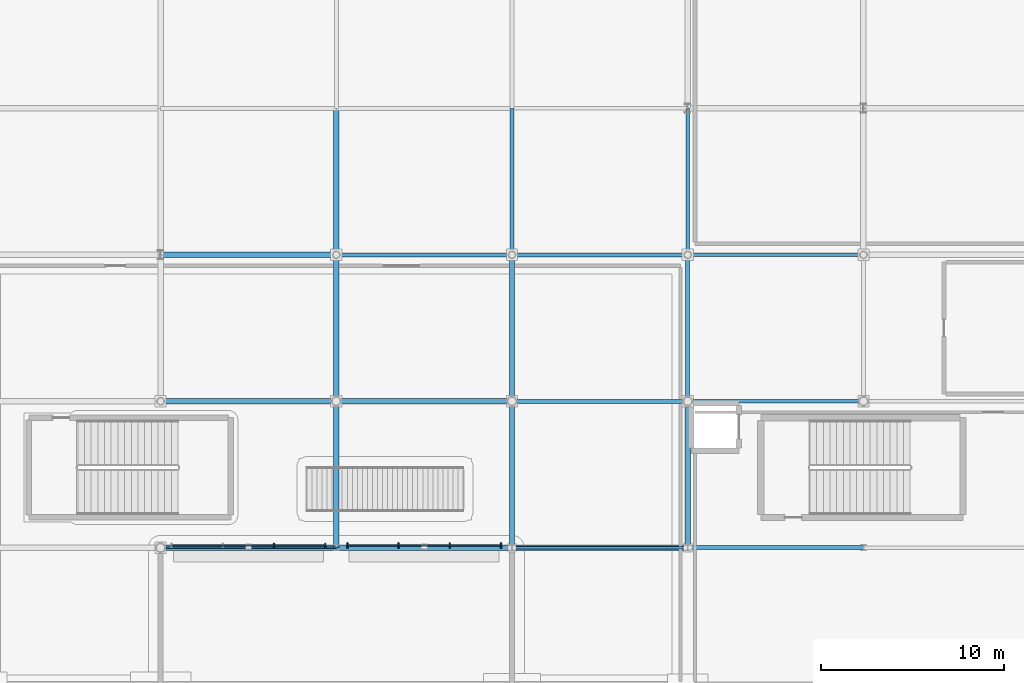
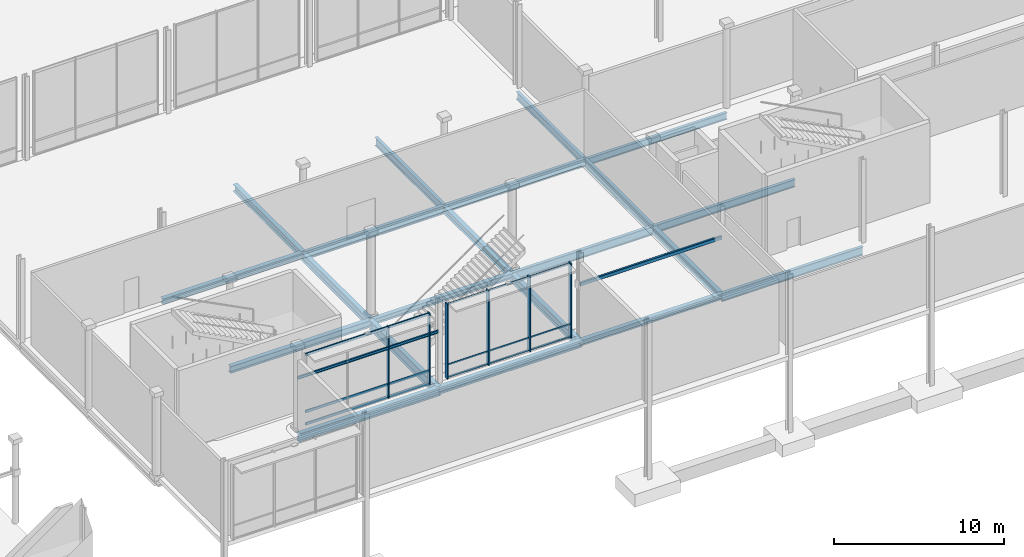
# One storey, part 54 of 124: 23 beams, 12 members, 2 elements without a shape of their own.
"""IFC4 building model written with IfcOpenShell, lengths in metres."""

from ifc_helpers import new_model, si_unit, direction, frame, origin, origin_2d, place, context, subcontext, project, spatial, rectangle, hollow_rectangle, i_section, extrude, material, material_profile, profile_set, type_object, element, aggregate, save


model = new_model("IFC4")

# Units and contexts
model_context = context("Model", 3, precision=1e-05, world=origin(), true_north=direction((0.0, 1.0)))
body_context = subcontext(model_context, "Body", "Model", "MODEL_VIEW")
ifc_project = project(units=[si_unit("LENGTHUNIT", "METRE"), si_unit("AREAUNIT", "SQUARE_METRE"), si_unit("VOLUMEUNIT", "CUBIC_METRE"), si_unit("PLANEANGLEUNIT", "RADIAN"), si_unit("MASSUNIT", "GRAM", prefix="KILO")], contexts=[model_context])

# Site, building, storey
site_placement = place(None, origin())
site = spatial("IfcSite", under=ifc_project, at=site_placement, CompositionType="ELEMENT")
building_placement = place(site_placement, origin())
building = spatial("IfcBuilding", under=site, at=building_placement, Name="Danafjord Basin Convention Centre", CompositionType="ELEMENT")
storey_placement = place(building_placement, origin())
storey = spatial("IfcBuildingStorey", under=building, at=storey_placement, Name="L00", CompositionType="ELEMENT", Elevation=0.0)

# Beams
ifc_material_1 = material(Name="Steel S355", Category="steel")
ifc_material_profile_1 = material_profile(ifc_material_1, i_section(OverallWidth=0.300048828125, OverallDepth=0.389892578125, WebThickness=0.010986328125, FlangeThickness=0.01904296875, FilletRadius=0.027099609375, at=origin_2d()), Name="HEA 400")
ifc_profile_set_1 = profile_set([ifc_material_profile_1], Name="Steel S355")
beam_type_1 = type_object("IfcBeamType", Name="BEAM-BM-HEA400", PredefinedType="BEAM", material=ifc_profile_set_1)
beam_1_placement = place(storey_placement, frame((153.60009765625, 24.0, -0.5048828125), z_axis=(1.0, 0.0, 0.0), x_axis=(0.0, 1.0, 0.0)))
element("IfcBeam", 1, at=beam_1_placement, inside=storey, type_object=beam_type_1, Name="L00 girder BM-HEA400", PredefinedType="BEAM", context=body_context, shape_type="SweptSolid", body=[
    extrude(i_section(OverallWidth=0.300048828125, OverallDepth=0.389892578125, WebThickness=0.010986328125, FlangeThickness=0.01904296875, FilletRadius=0.027099609375, at=origin_2d()), origin(), (0.0, 0.0, 1.0), 9.599853515625),
])
beam_2_placement = place(storey_placement, frame((163.199951171875, 16.0, -0.5048828125), z_axis=(1.0, 0.0, 0.0), x_axis=(0.0, 1.0, 0.0)))
element("IfcBeam", 2, at=beam_2_placement, inside=storey, type_object=beam_type_1, Name="L00 girder BM-HEA400", PredefinedType="BEAM", context=body_context, shape_type="SweptSolid", body=[
    extrude(i_section(OverallWidth=0.300048828125, OverallDepth=0.389892578125, WebThickness=0.010986328125, FlangeThickness=0.01904296875, FilletRadius=0.027099609375, at=origin_2d()), origin(), (0.0, 0.0, 1.0), 9.60009765625),
])
beam_3_placement = place(storey_placement, frame((172.800048828125, 8.0, -0.5048828125), z_axis=(1.0, 0.0, 0.0), x_axis=(0.0, 1.0, 0.0)))
element("IfcBeam", 3, at=beam_3_placement, inside=storey, type_object=beam_type_1, Name="L00 girder BM-HEA400", PredefinedType="BEAM", context=body_context, shape_type="SweptSolid", body=[
    extrude(i_section(OverallWidth=0.300048828125, OverallDepth=0.389892578125, WebThickness=0.010986328125, FlangeThickness=0.01904296875, FilletRadius=0.027099609375, at=origin_2d()), origin(), (0.0, 0.0, 1.0), 9.599853515625),
])
ifc_material_profile_2 = material_profile(ifc_material_1, i_section(OverallWidth=0.300048828125, OverallDepth=0.489990234375, WebThickness=0.011962890625, FlangeThickness=0.02294921875, FilletRadius=0.027099609375, at=origin_2d()), Name="HEA 500")
ifc_profile_set_2 = profile_set([ifc_material_profile_2], Name="Steel S355")
beam_type_2 = type_object("IfcBeamType", Name="BEAM-BM-HEA500", PredefinedType="BEAM", material=ifc_profile_set_2)
beam_4_placement = place(storey_placement, frame((153.60009765625, 16.0, -0.554931640625), z_axis=(1.0, 0.0, 0.0), x_axis=(0.0, 1.0, 0.0)))
element("IfcBeam", 4, at=beam_4_placement, inside=storey, type_object=beam_type_2, Name="L00 girder BM-HEA500", PredefinedType="BEAM", context=body_context, shape_type="SweptSolid", body=[
    extrude(i_section(OverallWidth=0.300048828125, OverallDepth=0.489990234375, WebThickness=0.011962890625, FlangeThickness=0.02294921875, FilletRadius=0.027099609375, at=origin_2d()), origin(), (0.0, 0.0, 1.0), 9.599853515625),
])
beam_5_placement = place(storey_placement, frame((163.199951171875, 8.0, -0.554931640625), z_axis=(1.0, 0.0, 0.0), x_axis=(0.0, 1.0, 0.0)))
element("IfcBeam", 5, at=beam_5_placement, inside=storey, type_object=beam_type_2, Name="L00 girder BM-HEA500", PredefinedType="BEAM", context=body_context, shape_type="SweptSolid", body=[
    extrude(i_section(OverallWidth=0.300048828125, OverallDepth=0.489990234375, WebThickness=0.011962890625, FlangeThickness=0.02294921875, FilletRadius=0.027099609375, at=origin_2d()), origin(), (0.0, 0.0, 1.0), 9.60009765625),
])
ifc_material_profile_3 = material_profile(ifc_material_1, i_section(OverallWidth=0.300048828125, OverallDepth=0.590087890625, WebThickness=0.012939453125, FlangeThickness=0.02490234375, FilletRadius=0.027099609375, at=origin_2d()), Name="HEA 600")
ifc_profile_set_3 = profile_set([ifc_material_profile_3], Name="Steel S355")
beam_type_3 = type_object("IfcBeamType", Name="BEAM-BM-HEA600", PredefinedType="BEAM", material=ifc_profile_set_3)
beam_6_placement = place(storey_placement, frame((153.60009765625, 8.0, -0.60498046875), z_axis=(1.0, 0.0, 0.0), x_axis=(0.0, 1.0, 0.0)))
element("IfcBeam", 6, at=beam_6_placement, inside=storey, type_object=beam_type_3, Name="L00 girder BM-HEA600", PredefinedType="BEAM", context=body_context, shape_type="SweptSolid", body=[
    extrude(i_section(OverallWidth=0.300048828125, OverallDepth=0.590087890625, WebThickness=0.012939453125, FlangeThickness=0.02490234375, FilletRadius=0.027099609375, at=origin_2d()), origin(), (0.0, 0.0, 1.0), 9.599853515625),
])
ifc_material_profile_4 = material_profile(ifc_material_1, i_section(OverallWidth=0.300048828125, OverallDepth=0.5, WebThickness=0.014404296875, FlangeThickness=0.028076171875, FilletRadius=0.027099609375, at=origin_2d()), Name="HEB 500")
ifc_profile_set_4 = profile_set([ifc_material_profile_4], Name="Steel S355")
beam_type_4 = type_object("IfcBeamType", Name="BEAM-BM-HEB500", PredefinedType="BEAM", material=ifc_profile_set_4)
for number, where, z_axis, x_axis, name in (
    (7, (163.199951171875, 24.0, -0.530029296875), (0.0, 1.0, 0.0), (-1.0, 0.0, 0.0), "L00 transverse girder BM-HEB500"),
    (8, (172.800048828125, 16.0, -0.56005859375), (0.0, 1.0, 0.0), (-1.0, 0.0, 0.0), "L00 transverse girder BM-HEB500"),
    (9, (182.39990234375, 8.0, -0.56005859375), (0.0, 1.0, 0.0), (-1.0, 0.0, 0.0), "L00 transverse girder BM-HEB500"),
):
    element("IfcBeam", number, at=place(storey_placement, frame(where, z_axis=z_axis, x_axis=x_axis)), inside=storey, type_object=beam_type_4, Name=name, PredefinedType="BEAM", context=body_context, shape_type="SweptSolid", body=[
        extrude(i_section(OverallWidth=0.300048828125, OverallDepth=0.5, WebThickness=0.014404296875, FlangeThickness=0.028076171875, FilletRadius=0.027099609375, at=origin_2d()), origin(), (0.0, 0.0, 1.0), 8.0),
    ])
ifc_material_profile_5 = material_profile(ifc_material_1, i_section(OverallWidth=0.300048828125, OverallDepth=0.60009765625, WebThickness=0.015380859375, FlangeThickness=0.030029296875, FilletRadius=0.027099609375, at=origin_2d()), Name="HEB 600")
ifc_profile_set_5 = profile_set([ifc_material_profile_5], Name="Steel S355")
beam_type_5 = type_object("IfcBeamType", Name="BEAM-BM-HEB600", PredefinedType="BEAM", material=ifc_profile_set_5)
for number, where, z_axis, x_axis, name in (
    (10, (163.199951171875, 16.0, -0.610107421875), (0.0, 1.0, 0.0), (-1.0, 0.0, 0.0), "L00 transverse girder BM-HEB600"),
    (11, (172.800048828125, 8.0, -0.610107421875), (0.0, 1.0, 0.0), (-1.0, 0.0, 0.0), "L00 transverse girder BM-HEB600"),
):
    element("IfcBeam", number, at=place(storey_placement, frame(where, z_axis=z_axis, x_axis=x_axis)), inside=storey, type_object=beam_type_5, Name=name, PredefinedType="BEAM", context=body_context, shape_type="SweptSolid", body=[
        extrude(i_section(OverallWidth=0.300048828125, OverallDepth=0.60009765625, WebThickness=0.015380859375, FlangeThickness=0.030029296875, FilletRadius=0.027099609375, at=origin_2d()), origin(), (0.0, 0.0, 1.0), 8.0),
    ])
ifc_material_profile_6 = material_profile(ifc_material_1, i_section(OverallWidth=0.300048828125, OverallDepth=0.699951171875, WebThickness=0.01708984375, FlangeThickness=0.031982421875, FilletRadius=0.027099609375, at=origin_2d()), Name="HEB 700")
ifc_profile_set_6 = profile_set([ifc_material_profile_6], Name="Steel S355")
beam_type_6 = type_object("IfcBeamType", Name="BEAM-BM-HEB700", PredefinedType="BEAM", material=ifc_profile_set_6)
beam_7_placement = place(storey_placement, frame((163.199951171875, 8.0, -0.659912109375), z_axis=(0.0, 1.0, 0.0), x_axis=(-1.0, 0.0, 0.0)))
element("IfcBeam", 12, at=beam_7_placement, inside=storey, type_object=beam_type_6, Name="L00 transverse girder BM-HEB700", PredefinedType="BEAM", context=body_context, shape_type="SweptSolid", body=[
    extrude(i_section(OverallWidth=0.300048828125, OverallDepth=0.699951171875, WebThickness=0.01708984375, FlangeThickness=0.031982421875, FilletRadius=0.027099609375, at=origin_2d()), origin(), (0.0, 0.0, 1.0), 8.0),
])
ifc_material_profile_7 = material_profile(ifc_material_1, i_section(OverallWidth=0.199951171875, OverallDepth=0.5, WebThickness=0.01025390625, FlangeThickness=0.01611328125, FilletRadius=0.02099609375, at=origin_2d()), Name="IPE 500")
ifc_profile_set_7 = profile_set([ifc_material_profile_7], Name="Steel S355")
beam_type_7 = type_object("IfcBeamType", Name="BEAM-BM-IPE500", PredefinedType="BEAM", material=ifc_profile_set_7)
beam_8_placement = place(storey_placement, frame((182.39990234375, 24.0, -0.610107421875), z_axis=(1.0, 0.0, 0.0), x_axis=(0.0, 1.0, 0.0)))
element("IfcBeam", 13, at=beam_8_placement, inside=storey, type_object=beam_type_7, Name="L00 girder BM-IPE500", PredefinedType="BEAM", context=body_context, shape_type="SweptSolid", body=[
    extrude(i_section(OverallWidth=0.199951171875, OverallDepth=0.5, WebThickness=0.01025390625, FlangeThickness=0.01611328125, FilletRadius=0.02099609375, at=origin_2d()), origin(), (0.0, 0.0, 1.0), 9.60009765625),
])
ifc_material_profile_8 = material_profile(ifc_material_1, i_section(OverallWidth=0.2099609375, OverallDepth=0.550048828125, WebThickness=0.010986328125, FlangeThickness=0.01708984375, FilletRadius=0.02392578125, at=origin_2d()), Name="IPE 550")
ifc_profile_set_8 = profile_set([ifc_material_profile_8], Name="Steel S355")
beam_type_8 = type_object("IfcBeamType", Name="BEAM-BM-IPE550", PredefinedType="BEAM", material=ifc_profile_set_8)
beam_9_placement = place(storey_placement, frame((172.800048828125, 24.0, -0.5849609375), z_axis=(1.0, 0.0, 0.0), x_axis=(0.0, 1.0, 0.0)))
element("IfcBeam", 14, at=beam_9_placement, inside=storey, type_object=beam_type_8, Name="L00 girder BM-IPE550", PredefinedType="BEAM", context=body_context, shape_type="SweptSolid", body=[
    extrude(i_section(OverallWidth=0.2099609375, OverallDepth=0.550048828125, WebThickness=0.010986328125, FlangeThickness=0.01708984375, FilletRadius=0.02392578125, at=origin_2d()), origin(), (0.0, 0.0, 1.0), 9.599853515625),
])
beam_10_placement = place(storey_placement, frame((182.39990234375, 16.0, -0.5849609375), z_axis=(1.0, 0.0, 0.0), x_axis=(0.0, 1.0, 0.0)))
element("IfcBeam", 15, at=beam_10_placement, inside=storey, type_object=beam_type_8, Name="L00 girder BM-IPE550", PredefinedType="BEAM", context=body_context, shape_type="SweptSolid", body=[
    extrude(i_section(OverallWidth=0.2099609375, OverallDepth=0.550048828125, WebThickness=0.010986328125, FlangeThickness=0.01708984375, FilletRadius=0.02392578125, at=origin_2d()), origin(), (0.0, 0.0, 1.0), 9.60009765625),
])
beam_11_placement = place(storey_placement, frame((182.39990234375, 24.0, -0.635009765625), z_axis=(0.0, 1.0, 0.0), x_axis=(-1.0, 0.0, 0.0)))
element("IfcBeam", 16, at=beam_11_placement, inside=storey, type_object=beam_type_8, Name="L00 transverse girder BM-IPE550", PredefinedType="BEAM", context=body_context, shape_type="SweptSolid", body=[
    extrude(i_section(OverallWidth=0.2099609375, OverallDepth=0.550048828125, WebThickness=0.010986328125, FlangeThickness=0.01708984375, FilletRadius=0.02392578125, at=origin_2d()), origin(), (0.0, 0.0, 1.0), 8.0),
])
ifc_material_profile_9 = material_profile(ifc_material_1, i_section(OverallWidth=0.219970703125, OverallDepth=0.60009765625, WebThickness=0.011962890625, FlangeThickness=0.01904296875, FilletRadius=0.02392578125, at=origin_2d()), Name="IPE 600")
ifc_profile_set_9 = profile_set([ifc_material_profile_9], Name="Steel S355")
beam_type_9 = type_object("IfcBeamType", Name="BEAM-BM-IPE600", PredefinedType="BEAM", material=ifc_profile_set_9)
beam_12_placement = place(storey_placement, frame((163.199951171875, 24.0, -0.610107421875), z_axis=(1.0, 0.0, 0.0), x_axis=(0.0, 1.0, 0.0)))
element("IfcBeam", 17, at=beam_12_placement, inside=storey, type_object=beam_type_9, Name="L00 girder BM-IPE600", PredefinedType="BEAM", context=body_context, shape_type="SweptSolid", body=[
    extrude(i_section(OverallWidth=0.219970703125, OverallDepth=0.60009765625, WebThickness=0.011962890625, FlangeThickness=0.01904296875, FilletRadius=0.02392578125, at=origin_2d()), origin(), (0.0, 0.0, 1.0), 9.60009765625),
])
beam_13_placement = place(storey_placement, frame((172.800048828125, 16.0, -0.610107421875), z_axis=(1.0, 0.0, 0.0), x_axis=(0.0, 1.0, 0.0)))
element("IfcBeam", 18, at=beam_13_placement, inside=storey, type_object=beam_type_9, Name="L00 girder BM-IPE600", PredefinedType="BEAM", context=body_context, shape_type="SweptSolid", body=[
    extrude(i_section(OverallWidth=0.219970703125, OverallDepth=0.60009765625, WebThickness=0.011962890625, FlangeThickness=0.01904296875, FilletRadius=0.02392578125, at=origin_2d()), origin(), (0.0, 0.0, 1.0), 9.599853515625),
])
beam_14_placement = place(storey_placement, frame((182.39990234375, 8.0, -0.610107421875), z_axis=(1.0, 0.0, 0.0), x_axis=(0.0, 1.0, 0.0)))
element("IfcBeam", 19, at=beam_14_placement, inside=storey, type_object=beam_type_9, Name="L00 girder BM-IPE600", PredefinedType="BEAM", context=body_context, shape_type="SweptSolid", body=[
    extrude(i_section(OverallWidth=0.219970703125, OverallDepth=0.60009765625, WebThickness=0.011962890625, FlangeThickness=0.01904296875, FilletRadius=0.02392578125, at=origin_2d()), origin(), (0.0, 0.0, 1.0), 9.60009765625),
])
for number, where, z_axis, x_axis, name in (
    (20, (172.800048828125, 24.0, -0.580078125), (0.0, 1.0, 0.0), (-1.0, 0.0, 0.0), "L00 transverse girder BM-IPE600"),
    (21, (182.39990234375, 16.0, -0.610107421875), (0.0, 1.0, 0.0), (-1.0, 0.0, 0.0), "L00 transverse girder BM-IPE600"),
):
    element("IfcBeam", number, at=place(storey_placement, frame(where, z_axis=z_axis, x_axis=x_axis)), inside=storey, type_object=beam_type_9, Name=name, PredefinedType="BEAM", context=body_context, shape_type="SweptSolid", body=[
        extrude(i_section(OverallWidth=0.219970703125, OverallDepth=0.60009765625, WebThickness=0.011962890625, FlangeThickness=0.01904296875, FilletRadius=0.02392578125, at=origin_2d()), origin(), (0.0, 0.0, 1.0), 8.0),
    ])
ifc_material_profile_10 = material_profile(ifc_material_1, i_section(OverallWidth=0.10009765625, OverallDepth=0.199951171875, WebThickness=0.005615234375, FlangeThickness=0.008544921875, FilletRadius=0.011962890625, at=origin_2d()), Name="IPE 200")
ifc_profile_set_10 = profile_set([ifc_material_profile_10], Name="Steel S355")
beam_type_10 = type_object("IfcBeamType", Name="BEAM-LN-IPE200", PredefinedType="LINTEL", material=ifc_profile_set_10)
beam_15_placement = place(storey_placement, frame((153.60009765625, 8.0, 3.64990234375), z_axis=(1.0, 0.0, 0.0), x_axis=(0.0, 1.0, 0.0)))
element("IfcBeam", 22, at=beam_15_placement, inside=storey, type_object=beam_type_10, Name="L00 structural portal lintel LN-IPE200", PredefinedType="LINTEL", context=body_context, shape_type="SweptSolid", body=[
    extrude(i_section(OverallWidth=0.10009765625, OverallDepth=0.199951171875, WebThickness=0.005615234375, FlangeThickness=0.008544921875, FilletRadius=0.011962890625, at=origin_2d()), origin(), (0.0, 0.0, 1.0), 9.599853515625),
])
ifc_material_profile_11 = material_profile(ifc_material_1, hollow_rectangle(XDim=0.14990234375, YDim=0.25, WallThickness=0.010009765625, InnerFilletRadius=0.014892578125, OuterFilletRadius=0.02490234375, at=origin_2d()), Name="RHS 250x150x10.0")
ifc_profile_set_11 = profile_set([ifc_material_profile_11], Name="Steel S355")
beam_type_11 = type_object("IfcBeamType", Name="BEAM-LN-RHS250", PredefinedType="LINTEL", material=ifc_profile_set_11)
beam_16_placement = place(storey_placement, frame((172.800048828125, 8.0, 3.675048828125), z_axis=(1.0, 0.0, 0.0), x_axis=(0.0, 1.0, 0.0)))
element("IfcBeam", 23, at=beam_16_placement, inside=storey, type_object=beam_type_11, Name="L00 structural portal lintel LN-RHS250", PredefinedType="LINTEL", context=body_context, shape_type="SweptSolid", body=[
    extrude(hollow_rectangle(XDim=0.14990234375, YDim=0.25, WallThickness=0.010009765625, InnerFilletRadius=0.014892578125, OuterFilletRadius=0.02490234375, at=origin_2d()), origin(), (0.0, 0.0, 1.0), 9.599853515625),
])

# Curtain wall, members
ifc_material_2 = material(Name="Anodised aluminium and triple glazing", Category="aluminium")
curtain_wall_type = type_object("IfcCurtainWallType", Name="CW-CW-HARB", PredefinedType="NOTDEFINED", material=ifc_material_2)
curtain_wall_1_placement = place(storey_placement, origin())
curtain_wall_1 = element("IfcCurtainWall", 24, at=curtain_wall_1_placement, inside=storey, type_object=curtain_wall_type, Name="L00 CW-HARB unitised curtain wall bay 143", PredefinedType="NOTDEFINED")
ifc_material_3 = material(Name="Anodised aluminium EN AW-6060", Category="aluminium")
ifc_material_profile_12 = material_profile(ifc_material_3, rectangle(XDim=0.070068359375, YDim=0.260009765625, at=origin_2d()), Name="MULL 70x260")
ifc_profile_set_12 = profile_set([ifc_material_profile_12], Name="Anodised aluminium EN AW-6060")
member_type_1 = type_object("IfcMemberType", Name="MEM-ML-260", PredefinedType="MULLION", material=ifc_profile_set_12)
member_1_placement = place(storey_placement, frame((159.800048828125, 8.1201171875, -0.02490234375), z_axis=(0.0, 0.0, 1.0), x_axis=(1.0, 0.0, 0.0)))
member_1 = element("IfcMember", 25, at=member_1_placement, type_object=member_type_1, Name="CW-L00-143 mullion 3", PredefinedType="MULLION", context=body_context, shape_type="SweptSolid", body=[
    extrude(rectangle(XDim=0.070068359375, YDim=0.260009765625, at=origin_2d()), origin(), (0.0, 0.0, 1.0), 5.135009765625),
])
member_2_placement = place(storey_placement, frame((162.60009765625, 8.1201171875, -0.02490234375), z_axis=(0.0, 0.0, 1.0), x_axis=(1.0, 0.0, 0.0)))
member_2 = element("IfcMember", 26, at=member_2_placement, type_object=member_type_1, Name="CW-L00-143 mullion 4", PredefinedType="MULLION", context=body_context, shape_type="SweptSolid", body=[
    extrude(rectangle(XDim=0.070068359375, YDim=0.260009765625, at=origin_2d()), origin(), (0.0, 0.0, 1.0), 5.135009765625),
])

curtain_wall_2_placement = place(storey_placement, origin())
curtain_wall_2 = element("IfcCurtainWall", 27, at=curtain_wall_2_placement, inside=storey, type_object=curtain_wall_type, Name="L00 CW-HARB unitised curtain wall bay 144", PredefinedType="NOTDEFINED")
ifc_material_profile_13 = material_profile(ifc_material_3, rectangle(XDim=0.080078125, YDim=0.300048828125, at=origin_2d()), Name="MULL 80x300")
ifc_profile_set_13 = profile_set([ifc_material_profile_13], Name="Anodised aluminium EN AW-6060")
member_type_2 = type_object("IfcMemberType", Name="MEM-ML-300", PredefinedType="MULLION", material=ifc_profile_set_13)
member_3_placement = place(storey_placement, frame((163.800048828125, 8.1201171875, -0.02490234375), z_axis=(0.0, 0.0, 1.0), x_axis=(1.0, 0.0, 0.0)))
member_3 = element("IfcMember", 28, at=member_3_placement, type_object=member_type_2, Name="CW-L00-144 mullion 1", PredefinedType="MULLION", context=body_context, shape_type="SweptSolid", body=[
    extrude(rectangle(XDim=0.080078125, YDim=0.300048828125, at=origin_2d()), origin(), (0.0, 0.0, 1.0), 5.385009765625),
])
member_4_placement = place(storey_placement, frame((166.60009765625, 8.1201171875, -0.02490234375), z_axis=(0.0, 0.0, 1.0), x_axis=(1.0, 0.0, 0.0)))
member_4 = element("IfcMember", 29, at=member_4_placement, type_object=member_type_2, Name="CW-L00-144 mullion 2", PredefinedType="MULLION", context=body_context, shape_type="SweptSolid", body=[
    extrude(rectangle(XDim=0.080078125, YDim=0.300048828125, at=origin_2d()), origin(), (0.0, 0.0, 1.0), 5.385009765625),
])
member_5_placement = place(storey_placement, frame((169.39990234375, 8.1201171875, -0.02490234375), z_axis=(0.0, 0.0, 1.0), x_axis=(1.0, 0.0, 0.0)))
member_5 = element("IfcMember", 30, at=member_5_placement, type_object=member_type_2, Name="CW-L00-144 mullion 3", PredefinedType="MULLION", context=body_context, shape_type="SweptSolid", body=[
    extrude(rectangle(XDim=0.080078125, YDim=0.300048828125, at=origin_2d()), origin(), (0.0, 0.0, 1.0), 5.385009765625),
])
member_6_placement = place(storey_placement, frame((172.199951171875, 8.1201171875, -0.02490234375), z_axis=(0.0, 0.0, 1.0), x_axis=(1.0, 0.0, 0.0)))
member_6 = element("IfcMember", 31, at=member_6_placement, type_object=member_type_2, Name="CW-L00-144 mullion 4", PredefinedType="MULLION", context=body_context, shape_type="SweptSolid", body=[
    extrude(rectangle(XDim=0.080078125, YDim=0.300048828125, at=origin_2d()), origin(), (0.0, 0.0, 1.0), 5.385009765625),
])
ifc_material_profile_14 = material_profile(ifc_material_3, rectangle(XDim=0.06005859375, YDim=0.110107421875, at=origin_2d()), Name="TRAN 60x110")
ifc_profile_set_14 = profile_set([ifc_material_profile_14], Name="Anodised aluminium EN AW-6060")
member_type_3 = type_object("IfcMemberType", Name="MEM-TR-110", PredefinedType="USERDEFINED", material=ifc_profile_set_14)
member_7_placement = place(storey_placement, frame((163.800048828125, 8.1201171875, 0.06005859375), z_axis=(1.0, 0.0, 0.0), x_axis=(0.0, 1.0, 0.0)))
member_7 = element("IfcMember", 32, at=member_7_placement, type_object=member_type_3, Name="CW-L00-144 transom 1", ObjectType="TRANSOM", PredefinedType="USERDEFINED", context=body_context, shape_type="SweptSolid", body=[
    extrude(rectangle(XDim=0.06005859375, YDim=0.110107421875, at=origin_2d()), origin(), (0.0, 0.0, 1.0), 8.39990234375),
])
member_8_placement = place(storey_placement, frame((163.800048828125, 8.1201171875, 0.949951171875), z_axis=(1.0, 0.0, 0.0), x_axis=(0.0, 1.0, 0.0)))
member_8 = element("IfcMember", 33, at=member_8_placement, type_object=member_type_3, Name="CW-L00-144 transom 2", ObjectType="TRANSOM", PredefinedType="USERDEFINED", context=body_context, shape_type="SweptSolid", body=[
    extrude(rectangle(XDim=0.06005859375, YDim=0.110107421875, at=origin_2d()), origin(), (0.0, 0.0, 1.0), 8.39990234375),
])
member_9_placement = place(storey_placement, frame((163.800048828125, 8.1201171875, 5.2900390625), z_axis=(1.0, 0.0, 0.0), x_axis=(0.0, 1.0, 0.0)))
member_9 = element("IfcMember", 34, at=member_9_placement, type_object=member_type_3, Name="CW-L00-144 transom 3", ObjectType="TRANSOM", PredefinedType="USERDEFINED", context=body_context, shape_type="SweptSolid", body=[
    extrude(rectangle(XDim=0.06005859375, YDim=0.110107421875, at=origin_2d()), origin(), (0.0, 0.0, 1.0), 8.39990234375),
])
aggregate(curtain_wall_2, [member_3, member_4, member_5, member_6, member_7, member_8, member_9])

# Member
ifc_material_profile_15 = material_profile(ifc_material_3, rectangle(XDim=0.06494140625, YDim=0.18994140625, at=origin_2d()), Name="TRAN 65x190")
ifc_profile_set_15 = profile_set([ifc_material_profile_15], Name="Anodised aluminium EN AW-6060")
member_type_4 = type_object("IfcMemberType", Name="MEM-TR-190", PredefinedType="USERDEFINED", material=ifc_profile_set_15)
member_10_placement = place(storey_placement, frame((154.199951171875, 8.1201171875, 0.06005859375), z_axis=(1.0, 0.0, 0.0), x_axis=(0.0, 1.0, 0.0)))
member_10 = element("IfcMember", 35, at=member_10_placement, type_object=member_type_4, Name="CW-L00-143 transom 1", ObjectType="TRANSOM", PredefinedType="USERDEFINED", context=body_context, shape_type="SweptSolid", body=[
    extrude(rectangle(XDim=0.06494140625, YDim=0.18994140625, at=origin_2d()), origin(), (0.0, 0.0, 1.0), 8.400146484375),
])

member_11_placement = place(storey_placement, frame((154.199951171875, 8.1201171875, 0.949951171875), z_axis=(1.0, 0.0, 0.0), x_axis=(0.0, 1.0, 0.0)))
member_11 = element("IfcMember", 36, at=member_11_placement, type_object=member_type_4, Name="CW-L00-143 transom 2", ObjectType="TRANSOM", PredefinedType="USERDEFINED", context=body_context, shape_type="SweptSolid", body=[
    extrude(rectangle(XDim=0.06494140625, YDim=0.18994140625, at=origin_2d()), origin(), (0.0, 0.0, 1.0), 8.400146484375),
])

member_12_placement = place(storey_placement, frame((154.199951171875, 8.1201171875, 5.0400390625), z_axis=(1.0, 0.0, 0.0), x_axis=(0.0, 1.0, 0.0)))
member_12 = element("IfcMember", 37, at=member_12_placement, type_object=member_type_4, Name="CW-L00-143 transom 3", ObjectType="TRANSOM", PredefinedType="USERDEFINED", context=body_context, shape_type="SweptSolid", body=[
    extrude(rectangle(XDim=0.06494140625, YDim=0.18994140625, at=origin_2d()), origin(), (0.0, 0.0, 1.0), 8.400146484375),
])

aggregate(curtain_wall_1, [member_1, member_2, member_10, member_11, member_12])

save(model, "model.ifc")
